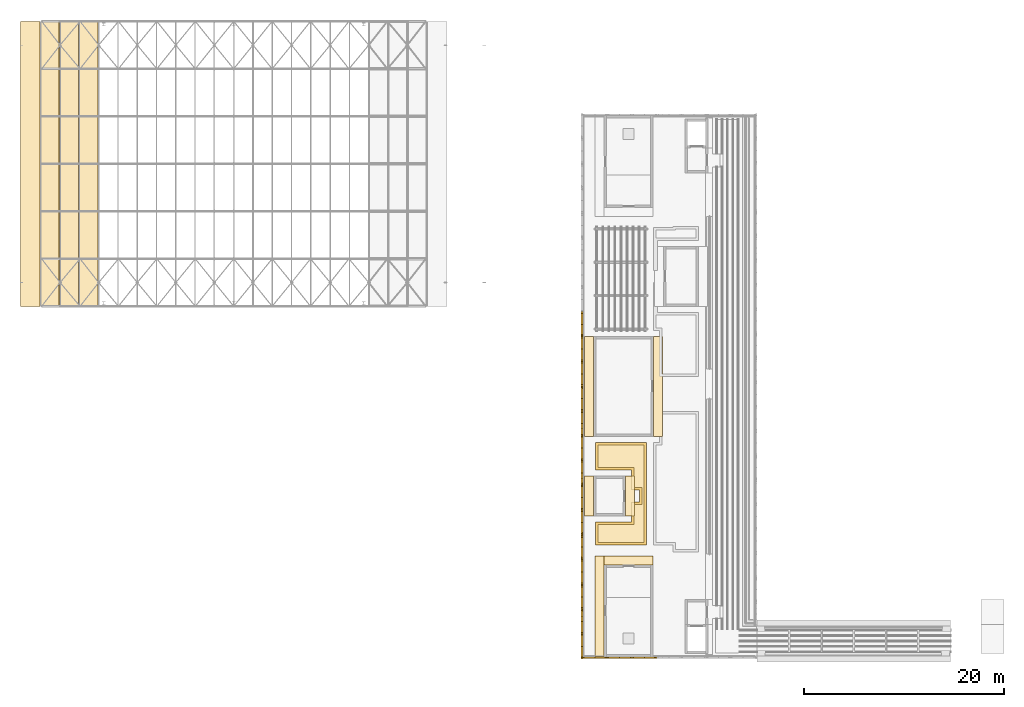
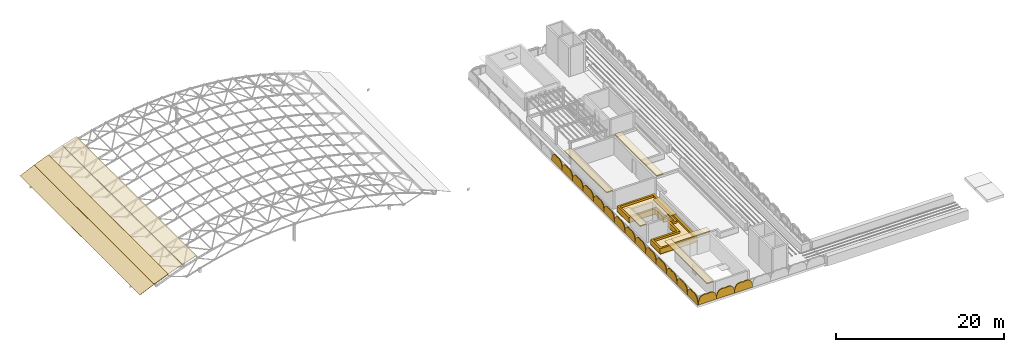
# One storey, part 18 of 22: 17 shading devices, 13 coverings.
"""IFC4 building model written with IfcOpenShell, lengths in metres."""

from ifc_helpers import new_model, si_unit, direction, frame, origin, place, context, subcontext, project, spatial, polyline, outline, extrude, material, layer, layer_set, type_object, element, save


model = new_model("IFC4")

# Units and contexts
model_context = context("Model", 3, precision=1e-05, world=origin(), true_north=direction((0.0, 1.0)))
body_context = subcontext(model_context, "Body", "Model", "MODEL_VIEW")
ifc_project = project(units=[si_unit("LENGTHUNIT", "METRE"), si_unit("AREAUNIT", "SQUARE_METRE"), si_unit("VOLUMEUNIT", "CUBIC_METRE"), si_unit("PLANEANGLEUNIT", "RADIAN"), si_unit("MASSUNIT", "GRAM", prefix="KILO")], contexts=[model_context])

# Site, building, storey
site_placement = place(None, origin())
site = spatial("IfcSite", under=ifc_project, at=site_placement, CompositionType="ELEMENT")
building_placement = place(site_placement, origin())
building = spatial("IfcBuilding", under=site, at=building_placement, Name="Elbe Cascade School", CompositionType="ELEMENT")
storey_placement = place(building_placement, frame((0.0, 0.0, 18.89990234375)))
storey = spatial("IfcBuildingStorey", under=building, at=storey_placement, Name="R05", CompositionType="ELEMENT", Elevation=18.89990234375)

# Shading devices
ifc_material_1 = material(Name="Precast concrete C40/50", Category="concrete")
ifc_layer_1 = layer(ifc_material_1, 0.1201171875)
ifc_layer_set_1 = layer_set([ifc_layer_1], Name="Precast concrete C40/50")
shading_device_type = type_object("IfcShadingDeviceType", Name="Bars envelope Attic jali screen, pointed arch top, pierced precast concrete, 1200 high", PredefinedType="USERDEFINED", material=ifc_layer_set_1)
shading_device_1_placement = place(storey_placement, frame((68.780029296875, 5.75, 0.400146484375), z_axis=(-1.0, 0.0, 0.0), x_axis=(0.0, 0.296914729778, 0.954903996871)))
element("IfcShadingDevice", 1, at=shading_device_1_placement, inside=storey, type_object=shading_device_type, Name="Attic jali screen SD1 A.R05.w1", ObjectType="JALI", PredefinedType="USERDEFINED", context=body_context, shape_type="SweptSolid", body=[
    extrude(outline(polyline([(0.0, 0.0), (0.5213118135497831, 2.7755575615628914e-17), (0.7307670272254834, 0.09722334288068585), (0.8772044201284606, 0.2137855707816544), (0.9849420905019789, 0.3423809640007578), (1.0619064875388193, 0.48054489831620933), (1.1125270975525943, 0.6269000837217165), (1.1363376588260814, 0.7815914981126785), (1.1317062553490027, 0.9451265641229927), (1.2283261334568831, 1.0774345576902884), (1.296431557866498, 1.218353072018325), (1.337726933535825, 1.3676078153318163), (1.3526785221820867, 1.5250538097353636), (1.3368568374916705, 1.692068345235259), (1.2823354302717953, 1.871116046053289), (1.1649411801745964, 2.069968893608824), (0.7355453523079154, 2.365578822327823), (0.3534438750441624, 2.4843882076074792), (-0.382101477263753, 0.11880938527965638), (0.0, 0.0)])), origin(), (0.0, 0.0, -1.0), 0.1201171875),
])
shading_device_2_placement = place(storey_placement, frame((68.780029296875, 8.227294921875, 0.400146484375), z_axis=(-1.0, 0.0, 0.0), x_axis=(0.0, 0.296914729778, 0.954903996871)))
element("IfcShadingDevice", 2, at=shading_device_2_placement, inside=storey, type_object=shading_device_type, Name="Attic jali screen SD1 A.R05.w2", ObjectType="JALI", PredefinedType="USERDEFINED", context=body_context, shape_type="SweptSolid", body=[
    extrude(outline(polyline([(0.0, 0.0), (0.5213118135497831, 2.7755575615628914e-17), (0.7306945382777837, 0.09699021202207464), (0.8772044201284606, 0.2137855707816544), (0.9849420905019789, 0.3423809640007578), (1.0619064875388193, 0.48054489831620933), (1.1125270975525943, 0.6269000837217165), (1.1363376588260814, 0.7815914981126785), (1.1317062553490027, 0.9451265641229927), (1.2282536445091836, 1.0772014268316772), (1.296431557866498, 1.218353072018325), (1.337726933535825, 1.3676078153318163), (1.3526785221820867, 1.5250538097353636), (1.3368568374916705, 1.692068345235259), (1.2824079192194948, 1.8713491769119002), (1.1649411801745964, 2.069968893608824), (0.7355453523079154, 2.365578822327823), (0.3534438750441624, 2.4843882076074792), (-0.382101477263753, 0.11880938527965638), (0.0, 0.0)])), origin(), (0.0, 0.0, -1.0), 0.1201171875),
])
shading_device_3_placement = place(storey_placement, frame((68.780029296875, 10.70458984375, 0.400146484375), z_axis=(-1.0, 0.0, 0.0), x_axis=(0.0, 0.296914729778, 0.954903996871)))
element("IfcShadingDevice", 3, at=shading_device_3_placement, inside=storey, type_object=shading_device_type, Name="Attic jali screen SD1 A.R05.w3", ObjectType="JALI", PredefinedType="USERDEFINED", context=body_context, shape_type="SweptSolid", body=[
    extrude(outline(polyline([(0.0, 0.0), (0.5213118135497831, 2.7755575615628914e-17), (0.7306945382777837, 0.09699021202207464), (0.8771319311807609, 0.21355243992304318), (0.9849420905019789, 0.3423809640007578), (1.0619064875388193, 0.48054489831620933), (1.1125270975525943, 0.6269000837217165), (1.1363376588260814, 0.7815914981126785), (1.1317062553490027, 0.9451265641229927), (1.2282536445091836, 1.0772014268316772), (1.2963590689187985, 1.218119941159714), (1.337726933535825, 1.3676078153318163), (1.3526785221820867, 1.5250538097353636), (1.3368568374916705, 1.692068345235259), (1.2824079192194948, 1.8713491769119002), (1.1649411801745964, 2.069968893608824), (0.7355453523079154, 2.365578822327823), (0.3534438750441624, 2.4843882076074792), (-0.382101477263753, 0.11880938527965638), (0.0, 0.0)])), origin(), (0.0, 0.0, -1.0), 0.1201171875),
])
shading_device_4_placement = place(storey_placement, frame((68.780029296875, 13.181884765625, 0.400146484375), z_axis=(-1.0, 0.0, 0.0), x_axis=(0.0, 0.296914729778, 0.954903996871)))
element("IfcShadingDevice", 4, at=shading_device_4_placement, inside=storey, type_object=shading_device_type, Name="Attic jali screen SD1 A.R05.w4", ObjectType="JALI", PredefinedType="USERDEFINED", context=body_context, shape_type="SweptSolid", body=[
    extrude(outline(polyline([(0.0, 0.0), (0.5213118135497831, 2.7755575615628914e-17), (0.7306945382777837, 0.09699021202207464), (0.8771319311807609, 0.21355243992304318), (0.9848696015542793, 0.3421478331421466), (1.0619064875388193, 0.48054489831620933), (1.1125270975525943, 0.6269000837217165), (1.1363376588260814, 0.7815914981126785), (1.1317062553490027, 0.9451265641229927), (1.2282536445091836, 1.0772014268316772), (1.2963590689187985, 1.218119941159714), (1.337726933535825, 1.3676078153318163), (1.3526785221820867, 1.5250538097353636), (1.3368568374916705, 1.692068345235259), (1.2823354302717953, 1.871116046053289), (1.1649411801745964, 2.069968893608824), (0.7355453523079154, 2.365578822327823), (0.3534438750441624, 2.4843882076074792), (-0.382101477263753, 0.11880938527965638), (0.0, 0.0)])), origin(), (0.0, 0.0, -1.0), 0.1201171875),
])
shading_device_5_placement = place(storey_placement, frame((68.780029296875, 15.6591796875, 0.400146484375), z_axis=(-1.0, 0.0, 0.0), x_axis=(0.0, 0.296914729778, 0.954903996871)))
element("IfcShadingDevice", 5, at=shading_device_5_placement, inside=storey, type_object=shading_device_type, Name="Attic jali screen SD1 A.R05.w5", ObjectType="JALI", PredefinedType="USERDEFINED", context=body_context, shape_type="SweptSolid", body=[
    extrude(outline(polyline([(0.0, 0.0), (0.5213118135497831, 2.7755575615628914e-17), (0.7306945382777837, 0.09699021202207464), (0.8771319311807609, 0.21355243992304318), (0.9848696015542793, 0.3421478331421466), (1.0618339985911196, 0.4803117674575981), (1.1125270975525943, 0.6269000837217165), (1.1363376588260814, 0.7815914981126785), (1.1317062553490027, 0.9451265641229927), (1.2282536445091836, 1.0772014268316772), (1.296431557866498, 1.218353072018325), (1.337726933535825, 1.3676078153318163), (1.3526785221820867, 1.5250538097353636), (1.3368568374916705, 1.692068345235259), (1.2823354302717953, 1.871116046053289), (1.1648686912268968, 2.069735762750213), (0.7355453523079154, 2.365578822327823), (0.3534438750441624, 2.4843882076074792), (-0.382101477263753, 0.11880938527965638), (0.0, 0.0)])), origin(), (0.0, 0.0, -1.0), 0.1201171875),
])
shading_device_6_placement = place(storey_placement, frame((68.780029296875, 18.136474609375, 0.400146484375), z_axis=(-1.0, 0.0, 0.0), x_axis=(0.0, 0.296914729778, 0.954903996871)))
element("IfcShadingDevice", 6, at=shading_device_6_placement, inside=storey, type_object=shading_device_type, Name="Attic jali screen SD1 A.R05.w6", ObjectType="JALI", PredefinedType="USERDEFINED", context=body_context, shape_type="SweptSolid", body=[
    extrude(outline(polyline([(0.0, 0.0), (0.5213118135497831, 2.7755575615628914e-17), (0.7306945382777837, 0.09699021202207464), (0.8771319311807609, 0.21355243992304318), (0.9848696015542793, 0.3421478331421466), (1.0618339985911196, 0.4803117674575981), (1.1124546086048945, 0.6266669528631053), (1.1363376588260814, 0.7815914981126785), (1.1317062553490027, 0.9451265641229927), (1.2282536445091836, 1.0772014268316772), (1.296431557866498, 1.218353072018325), (1.337726933535825, 1.3676078153318163), (1.3526785221820867, 1.5250538097353636), (1.3368568374916705, 1.692068345235259), (1.2823354302717953, 1.871116046053289), (1.1648686912268968, 2.069735762750213), (0.7354728633602158, 2.3653456914692117), (0.3533713860964628, 2.484155076748868), (-0.382101477263753, 0.11880938527965638), (0.0, 0.0)])), origin(), (0.0, 0.0, -1.0), 0.1201171875),
])
shading_device_7_placement = place(storey_placement, frame((68.780029296875, 20.613525390625, 0.400146484375), z_axis=(-1.0, 0.0, 0.0), x_axis=(0.0, 0.297341674145, 0.954771139497)))
element("IfcShadingDevice", 7, at=shading_device_7_placement, inside=storey, type_object=shading_device_type, Name="Attic jali screen SD1 A.R05.w7", ObjectType="JALI", PredefinedType="USERDEFINED", context=body_context, shape_type="SweptSolid", body=[
    extrude(outline(polyline([(0.0, 0.0), (0.5213843546183408, 0.0), (0.7308104264433496, 0.09689657931297072), (0.877299924131576, 0.21339331781027546), (0.9850950836468173, 0.3419405245468374), (1.0621212513618536, 0.4800700313290738), (1.112807297308533, 0.6264025676958647), (1.1367596178235617, 0.7813164184342674), (1.1322013375835094, 0.9448535389739736), (1.2288077728077673, 1.0768852184544173), (1.2969762004591083, 1.2177732661588931), (1.338410902678799, 1.3672426282349808), (1.353432889947968, 1.5246819214728944), (1.3376858854169322, 1.6917035147564823), (1.2832445427129113, 1.8707755762793272), (1.1658666258721082, 2.0694477969865064), (0.7366030194201371, 2.365249695429385), (0.35455470456759325, 2.484229920996509), (-0.3820483148525438, 0.11898022556712376), (0.0, 0.0)])), origin(), (0.0, 0.0, -1.0), 0.1201171875),
])
shading_device_8_placement = place(storey_placement, frame((68.780029296875, 23.0908203125, 0.400146484375), z_axis=(-1.0, 0.0, 0.0), x_axis=(0.0, 0.296914729778, 0.954903996871)))
element("IfcShadingDevice", 8, at=shading_device_8_placement, inside=storey, type_object=shading_device_type, Name="Attic jali screen SD1 A.R05.w8", ObjectType="JALI", PredefinedType="USERDEFINED", context=body_context, shape_type="SweptSolid", body=[
    extrude(outline(polyline([(0.0, 0.0), (0.5213118135497831, 2.7755575615628914e-17), (0.7307670272254834, 0.09722334288068585), (0.8772044201284606, 0.2137855707816544), (0.9849420905019789, 0.3423809640007578), (1.0619064875388193, 0.48054489831620933), (1.1125995865002938, 0.6271332145803277), (1.1364101477737811, 0.7818246289712897), (1.1317787442967022, 0.9453596949816039), (1.2283261334568831, 1.0774345576902884), (1.296431557866498, 1.218353072018325), (1.337726933535825, 1.3676078153318163), (1.3527510111297865, 1.5252869405939748), (1.3369293264393702, 1.6923014760938702), (1.2824079192194948, 1.8713491769119002), (1.1649411801745964, 2.069968893608824), (0.7355453523079154, 2.365578822327823), (0.3534438750441624, 2.4843882076074792), (-0.382101477263753, 0.11880938527965638), (0.0, 0.0)])), origin(), (0.0, 0.0, -1.0), 0.1201171875),
])
shading_device_9_placement = place(storey_placement, frame((68.780029296875, 25.568115234375, 0.400146484375), z_axis=(-1.0, 0.0, 0.0), x_axis=(0.0, 0.296914729778, 0.954903996871)))
element("IfcShadingDevice", 9, at=shading_device_9_placement, inside=storey, type_object=shading_device_type, Name="Attic jali screen SD1 A.R05.w9", ObjectType="JALI", PredefinedType="USERDEFINED", context=body_context, shape_type="SweptSolid", body=[
    extrude(outline(polyline([(0.0, 0.0), (0.5213118135497831, 2.7755575615628914e-17), (0.7306945382777837, 0.09699021202207464), (0.8772044201284606, 0.2137855707816544), (0.9849420905019789, 0.3423809640007578), (1.0619064875388193, 0.48054489831620933), (1.1125995865002938, 0.6271332145803277), (1.1364101477737811, 0.7818246289712897), (1.1317787442967022, 0.9453596949816039), (1.2283261334568831, 1.0774345576902884), (1.296431557866498, 1.218353072018325), (1.337726933535825, 1.3676078153318163), (1.3526785221820867, 1.5250538097353636), (1.3369293264393702, 1.6923014760938702), (1.2824079192194948, 1.8713491769119002), (1.1649411801745964, 2.069968893608824), (0.7355453523079154, 2.365578822327823), (0.3534438750441624, 2.4843882076074792), (-0.382101477263753, 0.11880938527965638), (0.0, 0.0)])), origin(), (0.0, 0.0, -1.0), 0.1201171875),
])
shading_device_10_placement = place(storey_placement, frame((68.780029296875, 28.04541015625, 0.400146484375), z_axis=(-1.0, 0.0, 0.0), x_axis=(0.0, 0.296914729778, 0.954903996871)))
element("IfcShadingDevice", 10, at=shading_device_10_placement, inside=storey, type_object=shading_device_type, Name="Attic jali screen SD1 A.R05.w10", ObjectType="JALI", PredefinedType="USERDEFINED", context=body_context, shape_type="SweptSolid", body=[
    extrude(outline(polyline([(0.0, 0.0), (0.5213118135497831, 2.7755575615628914e-17), (0.7306945382777837, 0.09699021202207464), (0.8772044201284606, 0.2137855707816544), (0.9849420905019789, 0.3423809640007578), (1.0619064875388193, 0.48054489831620933), (1.1125270975525943, 0.6269000837217165), (1.1364101477737811, 0.7818246289712897), (1.1317787442967022, 0.9453596949816039), (1.2283261334568831, 1.0774345576902884), (1.296431557866498, 1.218353072018325), (1.337726933535825, 1.3676078153318163), (1.3526785221820867, 1.5250538097353636), (1.3368568374916705, 1.692068345235259), (1.2824079192194948, 1.8713491769119002), (1.1649411801745964, 2.069968893608824), (0.7355453523079154, 2.365578822327823), (0.3534438750441624, 2.4843882076074792), (-0.382101477263753, 0.11880938527965638), (0.0, 0.0)])), origin(), (0.0, 0.0, -1.0), 0.1201171875),
])
shading_device_11_placement = place(storey_placement, frame((68.780029296875, 30.522705078125, 0.400146484375), z_axis=(-1.0, 0.0, 0.0), x_axis=(0.0, 0.296914729778, 0.954903996871)))
element("IfcShadingDevice", 11, at=shading_device_11_placement, inside=storey, type_object=shading_device_type, Name="Attic jali screen SD1 A.R05.w11", ObjectType="JALI", PredefinedType="USERDEFINED", context=body_context, shape_type="SweptSolid", body=[
    extrude(outline(polyline([(0.0, 0.0), (0.5213118135497831, 2.7755575615628914e-17), (0.7307670272254834, 0.09722334288068585), (0.8772044201284606, 0.2137855707816544), (0.9849420905019789, 0.3423809640007578), (1.0619064875388193, 0.48054489831620933), (1.1125270975525943, 0.6269000837217165), (1.1363376588260814, 0.7815914981126785), (1.1317787442967022, 0.9453596949816039), (1.2283261334568831, 1.0774345576902884), (1.296431557866498, 1.218353072018325), (1.337726933535825, 1.3676078153318163), (1.3526785221820867, 1.5250538097353636), (1.3368568374916705, 1.692068345235259), (1.2823354302717953, 1.871116046053289), (1.1649411801745964, 2.069968893608824), (0.7355453523079154, 2.365578822327823), (0.3534438750441624, 2.4843882076074792), (-0.382101477263753, 0.11880938527965638), (0.0, 0.0)])), origin(), (0.0, 0.0, -1.0), 0.1201171875),
])
shading_device_12_placement = place(storey_placement, frame((68.780029296875, 33.0, 0.400146484375), z_axis=(-1.0, 0.0, 0.0), x_axis=(0.0, 0.296914729778, 0.954903996871)))
element("IfcShadingDevice", 12, at=shading_device_12_placement, inside=storey, type_object=shading_device_type, Name="Attic jali screen SD1 A.R05.w12", ObjectType="JALI", PredefinedType="USERDEFINED", context=body_context, shape_type="SweptSolid", body=[
    extrude(outline(polyline([(0.0, 0.0), (0.5213118135497831, 2.7755575615628914e-17), (0.7307670272254834, 0.09722334288068585), (0.8772044201284606, 0.2137855707816544), (0.9849420905019789, 0.3423809640007578), (1.0619064875388193, 0.48054489831620933), (1.1125270975525943, 0.6269000837217165), (1.1363376588260814, 0.7815914981126785), (1.1317062553490027, 0.9451265641229927), (1.2283261334568831, 1.0774345576902884), (1.296431557866498, 1.218353072018325), (1.337726933535825, 1.3676078153318163), (1.3526785221820867, 1.5250538097353636), (1.3368568374916705, 1.692068345235259), (1.2823354302717953, 1.871116046053289), (1.1649411801745964, 2.069968893608824), (0.7355453523079154, 2.365578822327823), (0.3534438750441624, 2.4843882076074792), (-0.382101477263753, 0.11880938527965638), (0.0, 0.0)])), origin(), (0.0, 0.0, -1.0), 0.1201171875),
])
shading_device_13_placement = place(storey_placement, frame((68.780029296875, 35.477294921875, 0.400146484375), z_axis=(-1.0, 0.0, 0.0), x_axis=(0.0, 0.296914729778, 0.954903996871)))
element("IfcShadingDevice", 13, at=shading_device_13_placement, inside=storey, type_object=shading_device_type, Name="Attic jali screen SD1 A.R05.w13", ObjectType="JALI", PredefinedType="USERDEFINED", context=body_context, shape_type="SweptSolid", body=[
    extrude(outline(polyline([(0.0, 0.0), (0.5213118135497831, 2.7755575615628914e-17), (0.7306945382777837, 0.09699021202207464), (0.8772044201284606, 0.2137855707816544), (0.9849420905019789, 0.3423809640007578), (1.0619064875388193, 0.48054489831620933), (1.1125270975525943, 0.6269000837217165), (1.1363376588260814, 0.7815914981126785), (1.1317062553490027, 0.9451265641229927), (1.2282536445091836, 1.0772014268316772), (1.296431557866498, 1.218353072018325), (1.337726933535825, 1.3676078153318163), (1.3526785221820867, 1.5250538097353636), (1.3368568374916705, 1.692068345235259), (1.2824079192194948, 1.8713491769119002), (1.1649411801745964, 2.069968893608824), (0.7355453523079154, 2.365578822327823), (0.3534438750441624, 2.4843882076074792), (-0.382101477263753, 0.11880938527965638), (0.0, 0.0)])), origin(), (0.0, 0.0, -1.0), 0.1201171875),
])
shading_device_14_placement = place(storey_placement, frame((68.780029296875, 37.95458984375, 0.400146484375), z_axis=(-1.0, 0.0, 0.0), x_axis=(0.0, 0.296914729778, 0.954903996871)))
element("IfcShadingDevice", 14, at=shading_device_14_placement, inside=storey, type_object=shading_device_type, Name="Attic jali screen SD1 A.R05.w14", ObjectType="JALI", PredefinedType="USERDEFINED", context=body_context, shape_type="SweptSolid", body=[
    extrude(outline(polyline([(0.0, 0.0), (0.5213118135497831, 2.7755575615628914e-17), (0.7306945382777837, 0.09699021202207464), (0.8771319311807609, 0.21355243992304318), (0.9849420905019789, 0.3423809640007578), (1.0619064875388193, 0.48054489831620933), (1.1125270975525943, 0.6269000837217165), (1.1363376588260814, 0.7815914981126785), (1.1317062553490027, 0.9451265641229927), (1.2282536445091836, 1.0772014268316772), (1.2963590689187985, 1.218119941159714), (1.337726933535825, 1.3676078153318163), (1.3526785221820867, 1.5250538097353636), (1.3368568374916705, 1.692068345235259), (1.2824079192194948, 1.8713491769119002), (1.1649411801745964, 2.069968893608824), (0.7355453523079154, 2.365578822327823), (0.3534438750441624, 2.4843882076074792), (-0.382101477263753, 0.11880938527965638), (0.0, 0.0)])), origin(), (0.0, 0.0, -1.0), 0.1201171875),
])
shading_device_15_placement = place(storey_placement, frame((68.89990234375, 5.780029296875, 0.0), z_axis=(0.0, -1.0, 0.0), x_axis=(1.0, 0.0, 0.0)))
element("IfcShadingDevice", 15, at=shading_device_15_placement, inside=storey, type_object=shading_device_type, Name="Attic jali screen SD1 A.R05.s1", ObjectType="JALI", PredefinedType="USERDEFINED", context=body_context, shape_type="SweptSolid", body=[
    extrude(outline(polyline([(0.0, 0.0), (2.471435546875, 0.0), (2.471435546875, 0.400146484375), (2.317138671875, 0.897216796875), (2.16259765625, 1.068115234375), (2.008056640625, 1.17333984375), (1.853759765625, 1.23779296875), (1.69921875, 1.270751953125), (1.544677734375, 1.275390625), (1.390380859375, 1.252685546875), (1.23583984375, 1.2001953125), (1.081298828125, 1.252685546875), (0.927001953125, 1.275390625), (0.7724609375, 1.270751953125), (0.617919921875, 1.23779296875), (0.46337890625, 1.17333984375), (0.30908203125, 1.068115234375), (0.154541015625, 0.897216796875), (0.0, 0.400146484375), (0.0, 0.0)])), origin(), (0.0, 0.0, -1.0), 0.1201171875),
])
shading_device_16_placement = place(storey_placement, frame((71.371337890625, 5.780029296875, 0.0), z_axis=(0.0, -1.0, 0.0), x_axis=(1.0, 0.0, 0.0)))
element("IfcShadingDevice", 16, at=shading_device_16_placement, inside=storey, type_object=shading_device_type, Name="Attic jali screen SD1 A.R05.s2", ObjectType="JALI", PredefinedType="USERDEFINED", context=body_context, shape_type="SweptSolid", body=[
    extrude(outline(polyline([(0.0, 0.0), (2.4716796875, 0.0), (2.4716796875, 0.400146484375), (2.317138671875, 0.897216796875), (2.16259765625, 1.068115234375), (2.008056640625, 1.17333984375), (1.853759765625, 1.23779296875), (1.69921875, 1.270751953125), (1.544677734375, 1.275390625), (1.390380859375, 1.252685546875), (1.23583984375, 1.2001953125), (1.081298828125, 1.252685546875), (0.9267578125, 1.275390625), (0.7724609375, 1.270751953125), (0.617919921875, 1.23779296875), (0.46337890625, 1.17333984375), (0.30908203125, 1.068115234375), (0.154541015625, 0.897216796875), (0.0, 0.400146484375), (0.0, 0.0)])), origin(), (0.0, 0.0, -1.0), 0.1201171875),
])
shading_device_17_placement = place(storey_placement, frame((73.843017578125, 5.780029296875, 0.0), z_axis=(0.0, -1.0, 0.0), x_axis=(1.0, 0.0, 0.0)))
element("IfcShadingDevice", 17, at=shading_device_17_placement, inside=storey, type_object=shading_device_type, Name="Attic jali screen SD1 A.R05.s3", ObjectType="JALI", PredefinedType="USERDEFINED", context=body_context, shape_type="SweptSolid", body=[
    extrude(outline(polyline([(0.0, 0.0), (2.47119140625, 0.0), (2.47119140625, 0.400146484375), (2.31689453125, 0.897216796875), (2.162353515625, 1.068115234375), (2.0078125, 1.17333984375), (1.853271484375, 1.23779296875), (1.698974609375, 1.270751953125), (1.54443359375, 1.275390625), (1.389892578125, 1.252685546875), (1.235595703125, 1.2001953125), (1.0810546875, 1.252685546875), (0.926513671875, 1.275390625), (0.772216796875, 1.270751953125), (0.61767578125, 1.23779296875), (0.463134765625, 1.17333984375), (0.308837890625, 1.068115234375), (0.154296875, 0.897216796875), (0.0, 0.400146484375), (0.0, 0.0)])), origin(), (0.0, 0.0, -1.0), 0.1201171875),
])

# Coverings
ifc_material_2 = material(Name="Bituminous waterproofing membrane", Category="membrane")
ifc_layer_2 = layer(ifc_material_2, 0.06005859375)
ifc_layer_set_2 = layer_set([ifc_layer_2], Name="Bituminous waterproofing membrane")
covering_type_1 = type_object("IfcCoveringType", Name="Bars envelope Roof covering, bituminous waterproofing membrane", PredefinedType="ROOFING", material=ifc_layer_set_2)
covering_1_placement = place(storey_placement, origin())
element("IfcCovering", 18, at=covering_1_placement, inside=storey, type_object=covering_type_1, Name="Roof covering CV49 A.R05.1", PredefinedType="ROOFING", context=body_context, shape_type="SweptSolid", body=[
    extrude(outline(polyline([(70.199951171875, 17.125), (70.199951171875, 19.39990234375), (73.800048828125, 19.39990234375), (73.800048828125, 21.39990234375), (74.574951171875, 21.39990234375), (74.574951171875, 22.60009765625), (73.800048828125, 22.60009765625), (73.800048828125, 24.60009765625), (70.199951171875, 24.60009765625), (70.199951171875, 27.39990234375), (75.300048828125, 27.39990234375), (75.300048828125, 17.125), (70.199951171875, 17.125)])), origin(), (0.0, 0.0, 1.0), 0.06005859375),
])
ifc_material_3 = material(Name="Standing seam roofing - zinc")
ifc_layer_3 = layer(ifc_material_3, 0.030029296875)
ifc_layer_set_3 = layer_set([ifc_layer_3], Name="Standing seam roofing - zinc")
covering_type_2 = type_object("IfcCoveringType", Name="Hall roofing", PredefinedType="ROOFING", material=ifc_layer_set_3)
covering_2_placement = place(storey_placement, frame((12.666015625, 41.0, -0.217529296875), z_axis=(-0.421713240425, 0.0, 0.906729255539), x_axis=(0.906729255539, 0.0, 0.421713240425)))
element("IfcCovering", 19, at=covering_2_placement, inside=storey, type_object=covering_type_2, Name="Roofing 4", PredefinedType="ROOFING", context=body_context, shape_type="SweptSolid", body=[
    extrude(outline(polyline([(0.0, 0.0), (2.1327622096801377, 0.0), (2.1327622096801377, 28.499999999999996), (0.0, 28.499999999999996), (0.0, 0.0)])), origin(), (0.0, 0.0, -1.0), 0.030029296875),
])
covering_3_placement = place(storey_placement, frame((14.605712890625, 41.0, 0.684326171875), z_axis=(-0.381588946613, 0.0, 0.924332124197), x_axis=(0.924332124197, 0.0, 0.381588946613)))
element("IfcCovering", 20, at=covering_3_placement, inside=storey, type_object=covering_type_2, Name="Roofing 5", PredefinedType="ROOFING", context=body_context, shape_type="SweptSolid", body=[
    extrude(outline(polyline([(0.0, 0.0), (2.0921461453100556, 0.0), (2.0921461453100556, 28.500000000000007), (0.0, 28.500000000000007), (0.0, 0.0)])), origin(), (0.0, 0.0, -1.0), 0.030029296875),
])
covering_4_placement = place(storey_placement, frame((16.54541015625, 41.0, 1.48486328125), z_axis=(-0.341390517687, 0.0, 0.939921546957), x_axis=(0.939921546957, 0.0, 0.341390517687)))
element("IfcCovering", 21, at=covering_4_placement, inside=storey, type_object=covering_type_2, Name="Roofing 6", PredefinedType="ROOFING", context=body_context, shape_type="SweptSolid", body=[
    extrude(outline(polyline([(0.0, 0.0), (2.0574460675852557, 0.0), (2.0574460675852557, 28.5), (0.0, 28.5), (0.0, 0.0)])), origin(), (0.0, 0.0, -1.0), 0.030029296875),
])
covering_5_placement = place(storey_placement, frame((18.4853515625, 41.0, 2.189453125), z_axis=(-0.301235084087, 0.0, 0.953549906463), x_axis=(0.953549906463, 0.0, 0.301235084087)))
element("IfcCovering", 22, at=covering_5_placement, inside=storey, type_object=covering_type_2, Name="Roofing 7", PredefinedType="ROOFING", context=body_context, shape_type="SweptSolid", body=[
    extrude(outline(polyline([(0.0, 0.0), (2.0277845311451577, 0.0), (2.0277845311451577, 28.5), (0.0, 28.5), (0.0, 0.0)])), origin(), (0.0, 0.0, -1.0), 0.030029296875),
])
ifc_material_4 = material(Name="Concrete C30/37 precast kerb", Category="concrete")
ifc_layer_4 = layer(ifc_material_4, 0.25)
ifc_layer_set_4 = layer_set([ifc_layer_4], Name="Concrete C30/37 precast kerb")
covering_type_3 = type_object("IfcCoveringType", Name="Planting bed kerb 250x750", PredefinedType="CLADDING", material=ifc_layer_set_4)
covering_6_placement = place(storey_placement, frame((0.0, 0.0, 0.06005859375)))
element("IfcCovering", 23, at=covering_6_placement, inside=storey, type_object=covering_type_3, Name="Planting bed kerb A W1", PredefinedType="CLADDING", context=body_context, shape_type="SweptSolid", body=[
    extrude(outline(polyline([(75.300048828125, 17.125), (73.699951171875, 17.125), (73.300048828125, 17.125), (70.199951171875, 17.125), (70.199951171875, 19.39990234375), (70.85009765625, 19.39990234375), (72.35009765625, 19.39990234375), (73.550048828125, 19.39990234375), (73.800048828125, 19.39990234375), (73.800048828125, 21.39990234375), (74.574951171875, 21.39990234375), (74.574951171875, 22.60009765625), (73.800048828125, 22.60009765625), (73.800048828125, 24.60009765625), (73.550048828125, 24.60009765625), (72.35009765625, 24.60009765625), (70.85009765625, 24.60009765625), (70.199951171875, 24.60009765625), (70.199951171875, 27.39990234375), (70.85009765625, 27.39990234375), (75.14990234375, 27.39990234375), (75.300048828125, 27.39990234375), (75.300048828125, 17.125)]), holes=[polyline([(75.050048828125, 17.375), (70.449951171875, 17.375), (70.449951171875, 19.14990234375), (74.050048828125, 19.14990234375), (74.050048828125, 21.14990234375), (74.824951171875, 21.14990234375), (74.824951171875, 22.85009765625), (74.050048828125, 22.85009765625), (74.050048828125, 24.85009765625), (70.449951171875, 24.85009765625), (70.449951171875, 27.14990234375), (75.050048828125, 27.14990234375), (75.050048828125, 17.375)])]), origin(), (0.0, 0.0, 1.0), 0.75),
])
ifc_material_5 = material(Name="Precast concrete C30/37", Category="concrete")
ifc_layer_5 = layer(ifc_material_5, 0.14990234375)
ifc_layer_set_5 = layer_set([ifc_layer_5], Name="Precast concrete C30/37")
covering_type_4 = type_object("IfcCoveringType", Name="Roof head eave, precast concrete, 900 x 150", PredefinedType="USERDEFINED", material=ifc_layer_set_5)
covering_7_placement = place(storey_placement, frame((0.0, 0.0, 2.650146484375)))
element("IfcCovering", 24, at=covering_7_placement, inside=storey, type_object=covering_type_4, Name="Roof room eave A.R05.P1.w", ObjectType="EAVE", PredefinedType="USERDEFINED", context=body_context, shape_type="SweptSolid", body=[
    extrude(outline(polyline([(69.10009765625, 28.0), (70.0, 28.0), (70.0, 38.0), (69.10009765625, 38.0), (69.10009765625, 28.0)])), origin(), (0.0, 0.0, 1.0), 0.14990234375),
])
covering_8_placement = place(storey_placement, frame((0.0, 0.0, 2.650146484375)))
element("IfcCovering", 25, at=covering_8_placement, inside=storey, type_object=covering_type_4, Name="Roof room eave A.R05.P1.e", ObjectType="EAVE", PredefinedType="USERDEFINED", context=body_context, shape_type="SweptSolid", body=[
    extrude(outline(polyline([(76.0, 28.0), (76.89990234375, 28.0), (76.89990234375, 38.0), (76.0, 38.0), (76.0, 28.0)])), origin(), (0.0, 0.0, 1.0), 0.14990234375),
])
covering_9_placement = place(storey_placement, frame((0.0, 0.0, 2.650146484375)))
element("IfcCovering", 26, at=covering_9_placement, inside=storey, type_object=covering_type_4, Name="Roof room eave A.R05.P2.w", ObjectType="EAVE", PredefinedType="USERDEFINED", context=body_context, shape_type="SweptSolid", body=[
    extrude(outline(polyline([(69.10009765625, 20.0), (70.0, 20.0), (70.0, 24.0), (69.10009765625, 24.0), (69.10009765625, 20.0)])), origin(), (0.0, 0.0, 1.0), 0.14990234375),
])
covering_10_placement = place(storey_placement, frame((0.0, 0.0, 2.650146484375)))
element("IfcCovering", 27, at=covering_10_placement, inside=storey, type_object=covering_type_4, Name="Roof room eave A.R05.P2.e", ObjectType="EAVE", PredefinedType="USERDEFINED", context=body_context, shape_type="SweptSolid", body=[
    extrude(outline(polyline([(73.199951171875, 20.0), (74.10009765625, 20.0), (74.10009765625, 24.0), (73.199951171875, 24.0), (73.199951171875, 20.0)])), origin(), (0.0, 0.0, 1.0), 0.14990234375),
])
covering_11_placement = place(storey_placement, frame((0.0, 0.0, 2.5)))
element("IfcCovering", 28, at=covering_11_placement, inside=storey, type_object=covering_type_4, Name="Stair head eave A.R05.south.w", ObjectType="EAVE", PredefinedType="USERDEFINED", context=body_context, shape_type="SweptSolid", body=[
    extrude(outline(polyline([(70.14990234375, 5.929931640625), (71.050048828125, 5.929931640625), (71.050048828125, 16.02490234375), (70.14990234375, 16.02490234375), (70.14990234375, 5.929931640625)])), origin(), (0.0, 0.0, 1.0), 0.150146484375),
])
covering_12_placement = place(storey_placement, frame((0.0, 0.0, 2.5)))
element("IfcCovering", 29, at=covering_12_placement, inside=storey, type_object=covering_type_4, Name="Stair head eave A.R05.south.i", ObjectType="EAVE", PredefinedType="USERDEFINED", context=body_context, shape_type="SweptSolid", body=[
    extrude(outline(polyline([(71.050048828125, 15.125), (75.949951171875, 15.125), (75.949951171875, 16.02490234375), (71.050048828125, 16.02490234375), (71.050048828125, 15.125)])), origin(), (0.0, 0.0, 1.0), 0.150146484375),
])
ifc_material_6 = material(Name="Planting - soil and shrubs", Category="soil")
ifc_layer_6 = layer(ifc_material_6, 0.449951171875)
ifc_layer_set_6 = layer_set([ifc_layer_6], Name="Planting - soil and shrubs")
covering_type_5 = type_object("IfcCoveringType", Name="Roof planting bed 450", PredefinedType="USERDEFINED", material=ifc_layer_set_6)
covering_13_placement = place(storey_placement, frame((0.0, 0.0, 0.06005859375)))
element("IfcCovering", 30, at=covering_13_placement, inside=storey, type_object=covering_type_5, Name="Planting bed A W1", ObjectType="PLANTING BED", PredefinedType="USERDEFINED", context=body_context, shape_type="SweptSolid", body=[
    extrude(outline(polyline([(75.050048828125, 17.375), (70.449951171875, 17.375), (70.449951171875, 19.14990234375), (74.050048828125, 19.14990234375), (74.050048828125, 21.14990234375), (74.824951171875, 21.14990234375), (74.824951171875, 22.85009765625), (74.050048828125, 22.85009765625), (74.050048828125, 24.85009765625), (70.449951171875, 24.85009765625), (70.449951171875, 27.14990234375), (75.050048828125, 27.14990234375), (75.050048828125, 17.375)])), origin(), (0.0, 0.0, 1.0), 0.449951171875),
])

save(model, "model.ifc")
